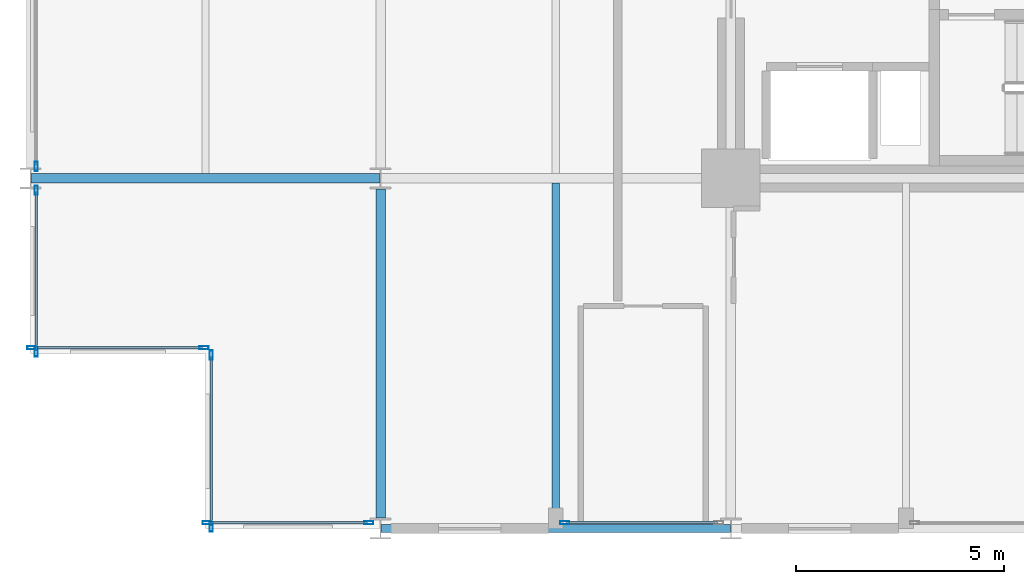
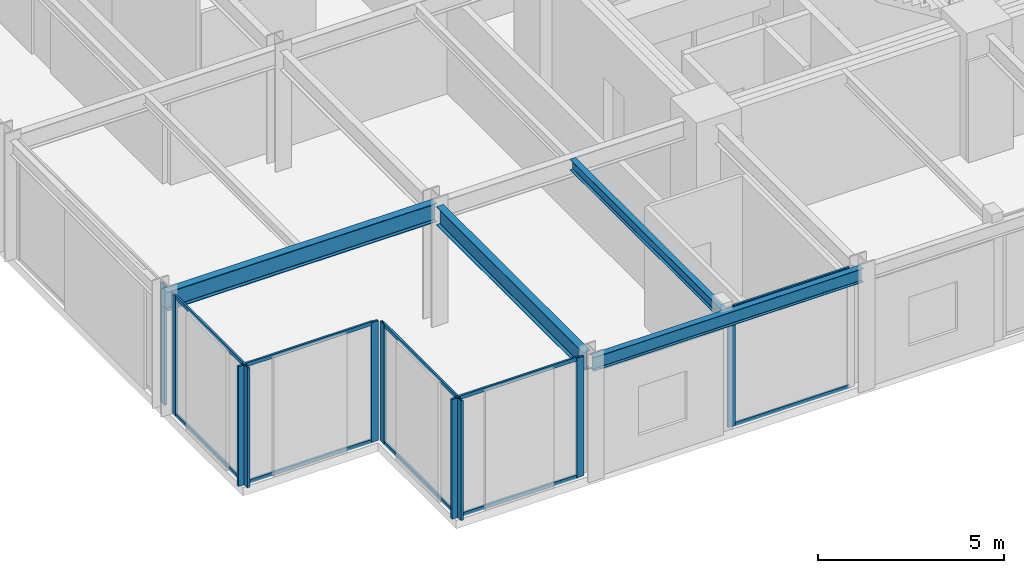
# One storey, part 2 of 25: 20 members, 4 beams, 6 elements without a shape of their own.
"""IFC4 building model written with IfcOpenShell, lengths in metres."""

from ifc_helpers import new_model, si_unit, direction, frame, origin, origin_2d, place, context, subcontext, project, spatial, hollow_rectangle, i_section, extrude, material, layer, layer_set, material_profile, profile_set, type_object, element, aggregate, save


model = new_model("IFC4")

# Units and contexts
model_context = context("Model", 3, precision=1e-05, world=origin(), true_north=direction((0.0, 1.0)))
body_context = subcontext(model_context, "Body", "Model", "MODEL_VIEW")
ifc_project = project(units=[si_unit("LENGTHUNIT", "METRE"), si_unit("AREAUNIT", "SQUARE_METRE"), si_unit("VOLUMEUNIT", "CUBIC_METRE"), si_unit("PLANEANGLEUNIT", "RADIAN"), si_unit("MASSUNIT", "GRAM", prefix="KILO")], contexts=[model_context])

# Site, building, storey
site_placement = place(None, origin())
site = spatial("IfcSite", under=ifc_project, at=site_placement, CompositionType="ELEMENT")
building_placement = place(site_placement, origin())
building = spatial("IfcBuilding", under=site, at=building_placement, Name="Nerrivon Quay Data Exchange", CompositionType="ELEMENT")
storey_placement = place(building_placement, frame((0.0, 0.0, 58.39990234375)))
storey = spatial("IfcBuildingStorey", under=building, at=storey_placement, Name="L13", CompositionType="ELEMENT", Elevation=58.39990234375)

# Beams
ifc_material_1 = material(Name="Steel Grade 350", Category="steel")
ifc_material_profile_1 = material_profile(ifc_material_1, i_section(OverallWidth=0.22900390625, OverallDepth=0.612060546875, WebThickness=0.011962890625, FlangeThickness=0.01953125, FilletRadius=0.013916015625, at=origin_2d()), Name="610UB125")
ifc_profile_set_1 = profile_set([ifc_material_profile_1], Name="Steel Grade 350")
beam_type_1 = type_object("IfcBeamType", Name="BM-G1-610UB125", PredefinedType="BEAM", material=ifc_profile_set_1)
beam_1_placement = place(storey_placement, frame((0.013916015625, 8.39990234375, 3.619140625), z_axis=(1.0, 0.0, 0.0), x_axis=(0.0, 1.0, 0.0)))
element("IfcBeam", 1, at=beam_1_placement, inside=storey, type_object=beam_type_1, Name="L13 EW Girder Y=8.4 (0.0..8.4)", PredefinedType="BEAM", context=body_context, shape_type="SweptSolid", body=[
    extrude(i_section(OverallWidth=0.22900390625, OverallDepth=0.612060546875, WebThickness=0.011962890625, FlangeThickness=0.01953125, FilletRadius=0.013916015625, at=origin_2d()), origin(), (0.0, 0.0, 1.0), 8.3720703125),
])
ifc_material_profile_2 = material_profile(ifc_material_1, i_section(OverallWidth=0.22802734375, OverallDepth=0.60205078125, WebThickness=0.010498046875, FlangeThickness=0.014892578125, FilletRadius=0.013916015625, at=origin_2d()), Name="610UB101")
ifc_profile_set_2 = profile_set([ifc_material_profile_2], Name="Steel Grade 350")
beam_type_2 = type_object("IfcBeamType", Name="BM-G2-610UB101", PredefinedType="BEAM", material=ifc_profile_set_2)
beam_2_placement = place(storey_placement, frame((8.39990234375, 0.25, 3.6240234375), z_axis=(0.0, 1.0, 0.0), x_axis=(-1.0, 0.0, 0.0)))
element("IfcBeam", 2, at=beam_2_placement, inside=storey, type_object=beam_type_2, Name="L13 NS Girder X=8.4 (0.0..8.4)", PredefinedType="BEAM", context=body_context, shape_type="SweptSolid", body=[
    extrude(i_section(OverallWidth=0.22802734375, OverallDepth=0.60205078125, WebThickness=0.010498046875, FlangeThickness=0.014892578125, FilletRadius=0.013916015625, at=origin_2d()), origin(), (0.0, 0.0, 1.0), 7.89990234375),
])
ifc_material_profile_3 = material_profile(ifc_material_1, i_section(OverallWidth=0.172119140625, OverallDepth=0.35888671875, WebThickness=0.008056640625, FlangeThickness=0.012939453125, FilletRadius=0.011474609375, at=origin_2d()), Name="360UB56.7")
ifc_profile_set_3 = profile_set([ifc_material_profile_3], Name="Steel Grade 350")
beam_type_3 = type_object("IfcBeamType", Name="BM-J3-360UB57", PredefinedType="JOIST", material=ifc_profile_set_3)
beam_3_placement = place(storey_placement, frame((12.60009765625, 0.094970703125, 3.74560546875), z_axis=(0.0, 1.0, 0.0), x_axis=(-1.0, 0.0, 0.0)))
element("IfcBeam", 3, at=beam_3_placement, inside=storey, type_object=beam_type_3, Name="L13 Secondary Joist X=12.6 (0.0..8.4)", PredefinedType="JOIST", context=body_context, shape_type="SweptSolid", body=[
    extrude(i_section(OverallWidth=0.172119140625, OverallDepth=0.35888671875, WebThickness=0.008056640625, FlangeThickness=0.012939453125, FilletRadius=0.011474609375, at=origin_2d()), origin(), (0.0, 0.0, 1.0), 8.1904296875),
])
ifc_material_profile_4 = material_profile(ifc_material_1, i_section(OverallWidth=0.18994140625, OverallDepth=0.4541015625, WebThickness=0.008544921875, FlangeThickness=0.0126953125, FilletRadius=0.011474609375, at=origin_2d()), Name="460UB67.1")
ifc_profile_set_4 = profile_set([ifc_material_profile_4], Name="Steel Grade 350")
beam_type_4 = type_object("IfcBeamType", Name="BM-SP1-460UB67", PredefinedType="SPANDREL", material=ifc_profile_set_4)
beam_4_placement = place(storey_placement, frame((8.4140625, 0.0, 3.697998046875), z_axis=(1.0, 0.0, 0.0), x_axis=(0.0, 1.0, 0.0)))
element("IfcBeam", 4, at=beam_4_placement, inside=storey, type_object=beam_type_4, Name="L13 EW Girder Y=0.0 (8.4..16.8)", PredefinedType="SPANDREL", context=body_context, shape_type="SweptSolid", body=[
    extrude(i_section(OverallWidth=0.18994140625, OverallDepth=0.4541015625, WebThickness=0.008544921875, FlangeThickness=0.0126953125, FilletRadius=0.011474609375, at=origin_2d()), origin(), (0.0, 0.0, 1.0), 8.371826171875),
])

# Curtain wall, member
ifc_material_2 = material(Name="Anodised aluminium 6063-T6", Category="aluminium")
ifc_layer = layer(ifc_material_2, 0.219970703125)
ifc_layer_set = layer_set([ifc_layer], Name="Anodised aluminium 6063-T6")
curtain_wall_type = type_object("IfcCurtainWallType", Name="CW-SYS-01", PredefinedType="NOTDEFINED", material=ifc_layer_set)
curtain_wall_1_placement = place(storey_placement, origin())
curtain_wall_1 = element("IfcCurtainWall", 5, at=curtain_wall_1_placement, inside=storey, type_object=curtain_wall_type, Name="L13 Unitised Curtain Wall 8", PredefinedType="NOTDEFINED")
ifc_material_profile_5 = material_profile(ifc_material_2, hollow_rectangle(XDim=0.074951171875, YDim=0.219970703125, WallThickness=0.00390625, at=origin_2d()), Name="ALU-MULL-220x75")
ifc_profile_set_5 = profile_set([ifc_material_profile_5], Name="Anodised aluminium 6063-T6")
member_type_1 = type_object("IfcMemberType", Name="CWM-220x75", PredefinedType="MULLION", material=ifc_profile_set_5)
member_1_placement = place(storey_placement, frame((12.8125, 0.139892578125, 0.0), z_axis=(0.0, 0.0, 1.0), x_axis=(0.0, -1.0, 0.0)))
member_1 = element("IfcMember", 6, at=member_1_placement, type_object=member_type_1, Name="CW01 mullion 2", PredefinedType="MULLION", context=body_context, shape_type="SweptSolid", body=[
    extrude(hollow_rectangle(XDim=0.074951171875, YDim=0.219970703125, WallThickness=0.00390625, at=origin_2d()), origin(), (0.0, 0.0, 1.0), 3.925048828125),
])

# Curtain wall, members
curtain_wall_2_placement = place(storey_placement, origin())
curtain_wall_2 = element("IfcCurtainWall", 7, at=curtain_wall_2_placement, inside=storey, type_object=curtain_wall_type, Name="L13 Unitised Curtain Wall 10", PredefinedType="NOTDEFINED")
member_2_placement = place(storey_placement, frame((8.112548828125, 0.139892578125, 0.0), z_axis=(0.0, 0.0, 1.0), x_axis=(0.0, -1.0, 0.0)))
member_2 = element("IfcMember", 8, at=member_2_placement, type_object=member_type_1, Name="CW01 mullion 1", PredefinedType="MULLION", context=body_context, shape_type="SweptSolid", body=[
    extrude(hollow_rectangle(XDim=0.074951171875, YDim=0.219970703125, WallThickness=0.00390625, at=origin_2d()), origin(), (0.0, 0.0, 1.0), 3.925048828125),
])
member_3_placement = place(storey_placement, frame((4.237548828125, 0.139892578125, 0.0), z_axis=(0.0, 0.0, 1.0), x_axis=(0.0, -1.0, 0.0)))
member_3 = element("IfcMember", 9, at=member_3_placement, type_object=member_type_1, Name="CW01 mullion 2", PredefinedType="MULLION", context=body_context, shape_type="SweptSolid", body=[
    extrude(hollow_rectangle(XDim=0.074951171875, YDim=0.219970703125, WallThickness=0.00390625, at=origin_2d()), origin(), (0.0, 0.0, 1.0), 3.925048828125),
])

curtain_wall_3_placement = place(storey_placement, origin())
curtain_wall_3 = element("IfcCurtainWall", 10, at=curtain_wall_3_placement, inside=storey, type_object=curtain_wall_type, Name="L13 Unitised Curtain Wall 11", PredefinedType="NOTDEFINED")
member_4_placement = place(storey_placement, frame((4.340087890625, 0.03759765625, 0.0), z_axis=(0.0, 0.0, 1.0), x_axis=(-1.0, 0.0, 0.0)))
member_4 = element("IfcMember", 11, at=member_4_placement, type_object=member_type_1, Name="CW01 mullion 1", PredefinedType="MULLION", context=body_context, shape_type="SweptSolid", body=[
    extrude(hollow_rectangle(XDim=0.074951171875, YDim=0.219970703125, WallThickness=0.00390625, at=origin_2d()), origin(), (0.0, 0.0, 1.0), 3.925048828125),
])
member_5_placement = place(storey_placement, frame((4.340087890625, 4.16259765625, 0.0), z_axis=(0.0, 0.0, 1.0), x_axis=(-1.0, 0.0, 0.0)))
member_5 = element("IfcMember", 12, at=member_5_placement, type_object=member_type_1, Name="CW01 mullion 2", PredefinedType="MULLION", context=body_context, shape_type="SweptSolid", body=[
    extrude(hollow_rectangle(XDim=0.074951171875, YDim=0.219970703125, WallThickness=0.00390625, at=origin_2d()), origin(), (0.0, 0.0, 1.0), 3.925048828125),
])

curtain_wall_4_placement = place(storey_placement, origin())
curtain_wall_4 = element("IfcCurtainWall", 13, at=curtain_wall_4_placement, inside=storey, type_object=curtain_wall_type, Name="L13 Unitised Curtain Wall 12", PredefinedType="NOTDEFINED")
member_6_placement = place(storey_placement, frame((4.16259765625, 4.340087890625, 0.0), z_axis=(0.0, 0.0, 1.0), x_axis=(0.0, -1.0, 0.0)))
member_6 = element("IfcMember", 14, at=member_6_placement, type_object=member_type_1, Name="CW01 mullion 1", PredefinedType="MULLION", context=body_context, shape_type="SweptSolid", body=[
    extrude(hollow_rectangle(XDim=0.074951171875, YDim=0.219970703125, WallThickness=0.00390625, at=origin_2d()), origin(), (0.0, 0.0, 1.0), 3.925048828125),
])
member_7_placement = place(storey_placement, frame((0.03759765625, 4.340087890625, 0.0), z_axis=(0.0, 0.0, 1.0), x_axis=(0.0, -1.0, 0.0)))
member_7 = element("IfcMember", 15, at=member_7_placement, type_object=member_type_1, Name="CW01 mullion 2", PredefinedType="MULLION", context=body_context, shape_type="SweptSolid", body=[
    extrude(hollow_rectangle(XDim=0.074951171875, YDim=0.219970703125, WallThickness=0.00390625, at=origin_2d()), origin(), (0.0, 0.0, 1.0), 3.925048828125),
])

curtain_wall_5_placement = place(storey_placement, origin())
curtain_wall_5 = element("IfcCurtainWall", 16, at=curtain_wall_5_placement, inside=storey, type_object=curtain_wall_type, Name="L13 Unitised Curtain Wall 13", PredefinedType="NOTDEFINED")
member_8_placement = place(storey_placement, frame((0.139892578125, 4.237548828125, 0.0), z_axis=(0.0, 0.0, 1.0), x_axis=(-1.0, 0.0, 0.0)))
member_8 = element("IfcMember", 17, at=member_8_placement, type_object=member_type_1, Name="CW01 mullion 1", PredefinedType="MULLION", context=body_context, shape_type="SweptSolid", body=[
    extrude(hollow_rectangle(XDim=0.074951171875, YDim=0.219970703125, WallThickness=0.00390625, at=origin_2d()), origin(), (0.0, 0.0, 1.0), 3.925048828125),
])
member_9_placement = place(storey_placement, frame((0.139892578125, 8.112548828125, 0.0), z_axis=(0.0, 0.0, 1.0), x_axis=(-1.0, 0.0, 0.0)))
member_9 = element("IfcMember", 18, at=member_9_placement, type_object=member_type_1, Name="CW01 mullion 2", PredefinedType="MULLION", context=body_context, shape_type="SweptSolid", body=[
    extrude(hollow_rectangle(XDim=0.074951171875, YDim=0.219970703125, WallThickness=0.00390625, at=origin_2d()), origin(), (0.0, 0.0, 1.0), 3.925048828125),
])

# Curtain wall, member
curtain_wall_6_placement = place(storey_placement, origin())
curtain_wall_6 = element("IfcCurtainWall", 19, at=curtain_wall_6_placement, inside=storey, type_object=curtain_wall_type, Name="L13 Unitised Curtain Wall 14", PredefinedType="NOTDEFINED")
member_10_placement = place(storey_placement, frame((0.139892578125, 8.6875, 0.0), z_axis=(0.0, 0.0, 1.0), x_axis=(-1.0, 0.0, 0.0)))
member_10 = element("IfcMember", 20, at=member_10_placement, type_object=member_type_1, Name="CW01 mullion 1", PredefinedType="MULLION", context=body_context, shape_type="SweptSolid", body=[
    extrude(hollow_rectangle(XDim=0.074951171875, YDim=0.219970703125, WallThickness=0.00390625, at=origin_2d()), origin(), (0.0, 0.0, 1.0), 3.925048828125),
])
aggregate(curtain_wall_6, [member_10])

# Member
ifc_material_profile_6 = material_profile(ifc_material_2, hollow_rectangle(XDim=0.06005859375, YDim=0.1201171875, WallThickness=0.003173828125, at=origin_2d()), Name="ALU-TRAN-120x60")
ifc_profile_set_6 = profile_set([ifc_material_profile_6], Name="Anodised aluminium 6063-T6")
member_type_2 = type_object("IfcMemberType", Name="CWT-120x60", PredefinedType="USERDEFINED", material=ifc_profile_set_6)
member_11_placement = place(storey_placement, frame((16.47509765625, 0.139892578125, 0.03271484375), z_axis=(-1.0, 0.0, 0.0), x_axis=(0.0, -1.0, 0.0)))
member_11 = element("IfcMember", 21, at=member_11_placement, type_object=member_type_2, Name="CW01 transom 1.1", ObjectType="TRANSOM", PredefinedType="USERDEFINED", context=body_context, shape_type="SweptSolid", body=[
    extrude(hollow_rectangle(XDim=0.06005859375, YDim=0.1201171875, WallThickness=0.003173828125, at=origin_2d()), origin(), (0.0, 0.0, 1.0), 3.625),
])

member_12_placement = place(storey_placement, frame((16.47509765625, 0.139892578125, 3.892578125), z_axis=(-1.0, 0.0, 0.0), x_axis=(0.0, -1.0, 0.0)))
member_12 = element("IfcMember", 22, at=member_12_placement, type_object=member_type_2, Name="CW01 transom 1.2", ObjectType="TRANSOM", PredefinedType="USERDEFINED", context=body_context, shape_type="SweptSolid", body=[
    extrude(hollow_rectangle(XDim=0.06005859375, YDim=0.1201171875, WallThickness=0.003173828125, at=origin_2d()), origin(), (0.0, 0.0, 1.0), 3.625),
])

aggregate(curtain_wall_1, [member_1, member_11, member_12])

member_13_placement = place(storey_placement, frame((8.074951171875, 0.139892578125, 0.03271484375), z_axis=(-1.0, 0.0, 0.0), x_axis=(0.0, -1.0, 0.0)))
member_13 = element("IfcMember", 23, at=member_13_placement, type_object=member_type_2, Name="CW01 transom 1.1", ObjectType="TRANSOM", PredefinedType="USERDEFINED", context=body_context, shape_type="SweptSolid", body=[
    extrude(hollow_rectangle(XDim=0.06005859375, YDim=0.1201171875, WallThickness=0.003173828125, at=origin_2d()), origin(), (0.0, 0.0, 1.0), 3.800048828125),
])

member_14_placement = place(storey_placement, frame((8.074951171875, 0.139892578125, 3.892578125), z_axis=(-1.0, 0.0, 0.0), x_axis=(0.0, -1.0, 0.0)))
member_14 = element("IfcMember", 24, at=member_14_placement, type_object=member_type_2, Name="CW01 transom 1.2", ObjectType="TRANSOM", PredefinedType="USERDEFINED", context=body_context, shape_type="SweptSolid", body=[
    extrude(hollow_rectangle(XDim=0.06005859375, YDim=0.1201171875, WallThickness=0.003173828125, at=origin_2d()), origin(), (0.0, 0.0, 1.0), 3.800048828125),
])

aggregate(curtain_wall_2, [member_2, member_3, member_13, member_14])

member_15_placement = place(storey_placement, frame((4.340087890625, 0.074951171875, 0.03271484375), z_axis=(0.0, 1.0, 0.0), x_axis=(-1.0, 0.0, 0.0)))
member_15 = element("IfcMember", 25, at=member_15_placement, type_object=member_type_2, Name="CW01 transom 1.1", ObjectType="TRANSOM", PredefinedType="USERDEFINED", context=body_context, shape_type="SweptSolid", body=[
    extrude(hollow_rectangle(XDim=0.06005859375, YDim=0.1201171875, WallThickness=0.003173828125, at=origin_2d()), origin(), (0.0, 0.0, 1.0), 4.050048828125),
])

member_16_placement = place(storey_placement, frame((4.340087890625, 0.074951171875, 3.892578125), z_axis=(0.0, 1.0, 0.0), x_axis=(-1.0, 0.0, 0.0)))
member_16 = element("IfcMember", 26, at=member_16_placement, type_object=member_type_2, Name="CW01 transom 1.2", ObjectType="TRANSOM", PredefinedType="USERDEFINED", context=body_context, shape_type="SweptSolid", body=[
    extrude(hollow_rectangle(XDim=0.06005859375, YDim=0.1201171875, WallThickness=0.003173828125, at=origin_2d()), origin(), (0.0, 0.0, 1.0), 4.050048828125),
])

aggregate(curtain_wall_3, [member_4, member_5, member_15, member_16])

member_17_placement = place(storey_placement, frame((4.125, 4.340087890625, 0.03271484375), z_axis=(-1.0, 0.0, 0.0), x_axis=(0.0, -1.0, 0.0)))
member_17 = element("IfcMember", 27, at=member_17_placement, type_object=member_type_2, Name="CW01 transom 1.1", ObjectType="TRANSOM", PredefinedType="USERDEFINED", context=body_context, shape_type="SweptSolid", body=[
    extrude(hollow_rectangle(XDim=0.06005859375, YDim=0.1201171875, WallThickness=0.003173828125, at=origin_2d()), origin(), (0.0, 0.0, 1.0), 4.050048828125),
])

member_18_placement = place(storey_placement, frame((4.125, 4.340087890625, 3.892578125), z_axis=(-1.0, 0.0, 0.0), x_axis=(0.0, -1.0, 0.0)))
member_18 = element("IfcMember", 28, at=member_18_placement, type_object=member_type_2, Name="CW01 transom 1.2", ObjectType="TRANSOM", PredefinedType="USERDEFINED", context=body_context, shape_type="SweptSolid", body=[
    extrude(hollow_rectangle(XDim=0.06005859375, YDim=0.1201171875, WallThickness=0.003173828125, at=origin_2d()), origin(), (0.0, 0.0, 1.0), 4.050048828125),
])

aggregate(curtain_wall_4, [member_6, member_7, member_17, member_18])

member_19_placement = place(storey_placement, frame((0.139892578125, 4.27490234375, 0.03271484375), z_axis=(0.0, 1.0, 0.0), x_axis=(-1.0, 0.0, 0.0)))
member_19 = element("IfcMember", 29, at=member_19_placement, type_object=member_type_2, Name="CW01 transom 1.1", ObjectType="TRANSOM", PredefinedType="USERDEFINED", context=body_context, shape_type="SweptSolid", body=[
    extrude(hollow_rectangle(XDim=0.06005859375, YDim=0.1201171875, WallThickness=0.003173828125, at=origin_2d()), origin(), (0.0, 0.0, 1.0), 3.800048828125),
])

member_20_placement = place(storey_placement, frame((0.139892578125, 4.27490234375, 3.892578125), z_axis=(0.0, 1.0, 0.0), x_axis=(-1.0, 0.0, 0.0)))
member_20 = element("IfcMember", 30, at=member_20_placement, type_object=member_type_2, Name="CW01 transom 1.2", ObjectType="TRANSOM", PredefinedType="USERDEFINED", context=body_context, shape_type="SweptSolid", body=[
    extrude(hollow_rectangle(XDim=0.06005859375, YDim=0.1201171875, WallThickness=0.003173828125, at=origin_2d()), origin(), (0.0, 0.0, 1.0), 3.800048828125),
])

aggregate(curtain_wall_5, [member_8, member_9, member_19, member_20])

save(model, "model.ifc")
